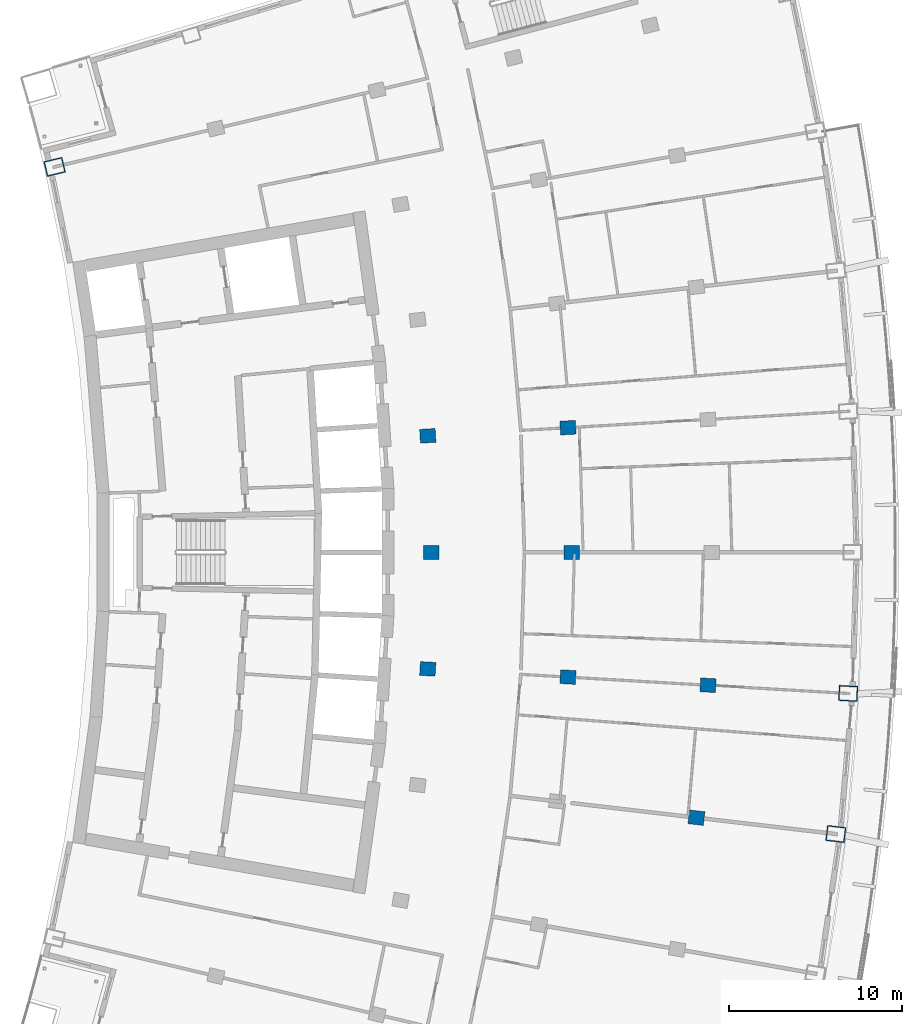
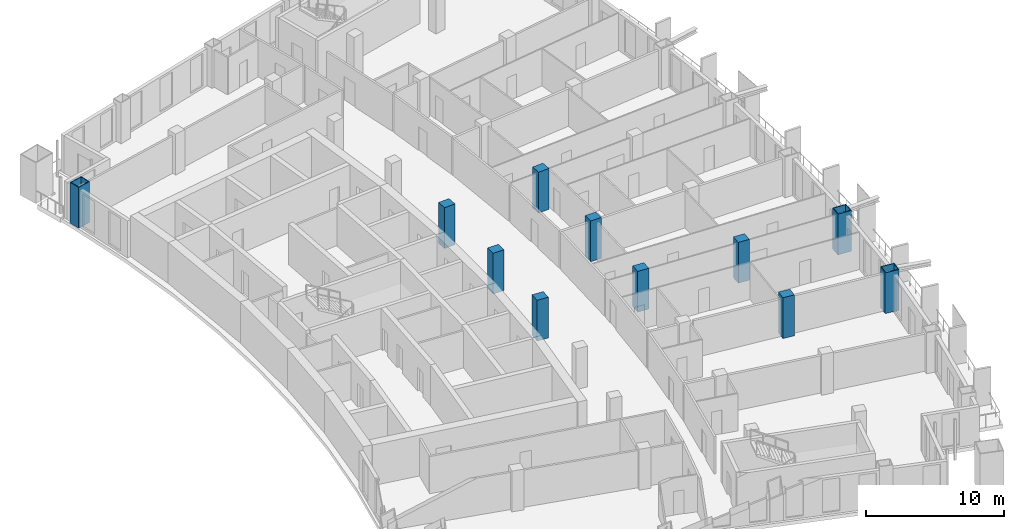
# One storey, part 4 of 20: 11 columns.
"""IFC4 building model written with IfcOpenShell, lengths in metres."""

from ifc_helpers import new_model, si_unit, direction, frame, origin, origin_2d, place, context, subcontext, project, spatial, rectangle, hollow_rectangle, extrude, material, material_profile, profile_set, type_object, element, save


model = new_model("IFC4")

# Units and contexts
model_context = context("Model", 3, precision=1e-05, world=origin(), true_north=direction((0.0, 1.0)))
body_context = subcontext(model_context, "Body", "Model", "MODEL_VIEW")
ifc_project = project(units=[si_unit("LENGTHUNIT", "METRE"), si_unit("AREAUNIT", "SQUARE_METRE"), si_unit("VOLUMEUNIT", "CUBIC_METRE"), si_unit("PLANEANGLEUNIT", "RADIAN"), si_unit("MASSUNIT", "GRAM", prefix="KILO")], contexts=[model_context])

# Site, building, storey
site_placement = place(None, origin())
site = spatial("IfcSite", under=ifc_project, at=site_placement, CompositionType="ELEMENT")
building_placement = place(site_placement, origin())
building = spatial("IfcBuilding", under=site, at=building_placement, Name="Alderwake Tower", CompositionType="ELEMENT")
storey_placement = place(building_placement, frame((0.0, 0.0, 142.39990234375)))
storey = spatial("IfcBuildingStorey", under=building, at=storey_placement, Name="L34", CompositionType="ELEMENT", Elevation=142.39990234375)

# Columns
ifc_material_1 = material(Name="Concrete C70/85", Category="concrete")
ifc_material_profile_1 = material_profile(ifc_material_1, rectangle(XDim=0.800048828125, YDim=0.89990234375, at=origin_2d()), Name="RC 900X800")
ifc_profile_set_1 = profile_set([ifc_material_profile_1], Name="Concrete C70/85")
column_type_1 = type_object("IfcColumnType", Name="Interior column Z3", PredefinedType="COLUMN", material=ifc_profile_set_1)
for number, where, z_axis, x_axis, name in (
    (1, (51.1689453125, 45.627197265625, 0.0), (0.0, 0.0, 1.0), (0.116402054316, 0.993202175668, 0.0), "Column R05-C4"),
    (2, (35.60302734375, 54.248779296875, 0.0), (0.0, 0.0, 1.0), (0.058301061284, 0.998299046505, 0.0), "Column R06-C2"),
    (3, (43.722412109375, 53.774658203125, 0.0), (0.0, 0.0, 1.0), (0.058299318924, 0.998299148258, 0.0), "Column R06-C3"),
    (4, (51.842041015625, 53.300537109375, 0.0), (0.0, 0.0, 1.0), (0.058299318924, 0.998299148258, 0.0), "Column R06-C4"),
    (5, (35.800048828125, 61.0, 0.0), (0.0, 0.0, 1.0), (0.0, 1.0, 0.0), "Column R07-C2"),
    (6, (43.933349609375, 61.0, 0.0), (0.0, 0.0, 1.0), (0.0, 1.0, 0.0), "Column R07-C3"),
    (7, (35.60302734375, 67.751220703125, 0.0), (0.0, 0.0, 1.0), (-0.058301061284, 0.998299046505, 0.0), "Column R08-C2"),
    (8, (43.722412109375, 68.225341796875, 0.0), (0.0, 0.0, 1.0), (-0.058299318924, 0.998299148258, 0.0), "Column R08-C3"),
):
    element("IfcColumn", number, at=place(storey_placement, frame(where, z_axis=z_axis, x_axis=x_axis)), inside=storey, type_object=column_type_1, Name=name, PredefinedType="COLUMN", context=body_context, shape_type="SweptSolid", body=[
        extrude(rectangle(XDim=0.800048828125, YDim=0.89990234375, at=origin_2d()), origin(), (0.0, 0.0, 1.0), 3.60009765625),
    ])
ifc_material_2 = material(Name="Steel ASTM A572 Grade 50 concrete filled C70/85", Category="concrete")
ifc_material_profile_2 = material_profile(ifc_material_2, hollow_rectangle(XDim=0.89990234375, YDim=1.10009765625, WallThickness=0.06005859375, at=origin_2d()), Name="BOX 1100X900X60")
ifc_profile_set_2 = profile_set([ifc_material_profile_2], Name="Steel ASTM A572 Grade 50 concrete filled C70/85")
column_type_2 = type_object("IfcColumnType", Name="Perimeter column Z3", PredefinedType="COLUMN", material=ifc_profile_set_2)
for number, where, z_axis, x_axis, name in (
    (9, (59.246826171875, 44.680419921875, 0.0), (0.0, 0.0, 1.0), (0.116402054316, 0.993202175668, 0.0), "Column R05-C5"),
    (10, (59.96142578125, 52.826416015625, 0.0), (0.0, 0.0, 1.0), (0.058301061284, 0.998299046505, 0.0), "Column R06-C5"),
    (11, (13.982177734375, 83.3359375, 0.0), (0.0, 0.0, 1.0), (-0.231221547198, 0.972901123502, 0.0), "Column R11-C0"),
):
    element("IfcColumn", number, at=place(storey_placement, frame(where, z_axis=z_axis, x_axis=x_axis)), inside=storey, type_object=column_type_2, Name=name, PredefinedType="COLUMN", context=body_context, shape_type="SweptSolid", body=[
        extrude(hollow_rectangle(XDim=0.89990234375, YDim=1.10009765625, WallThickness=0.06005859375, at=origin_2d()), origin(), (0.0, 0.0, 1.0), 3.60009765625),
    ])

save(model, "model.ifc")
